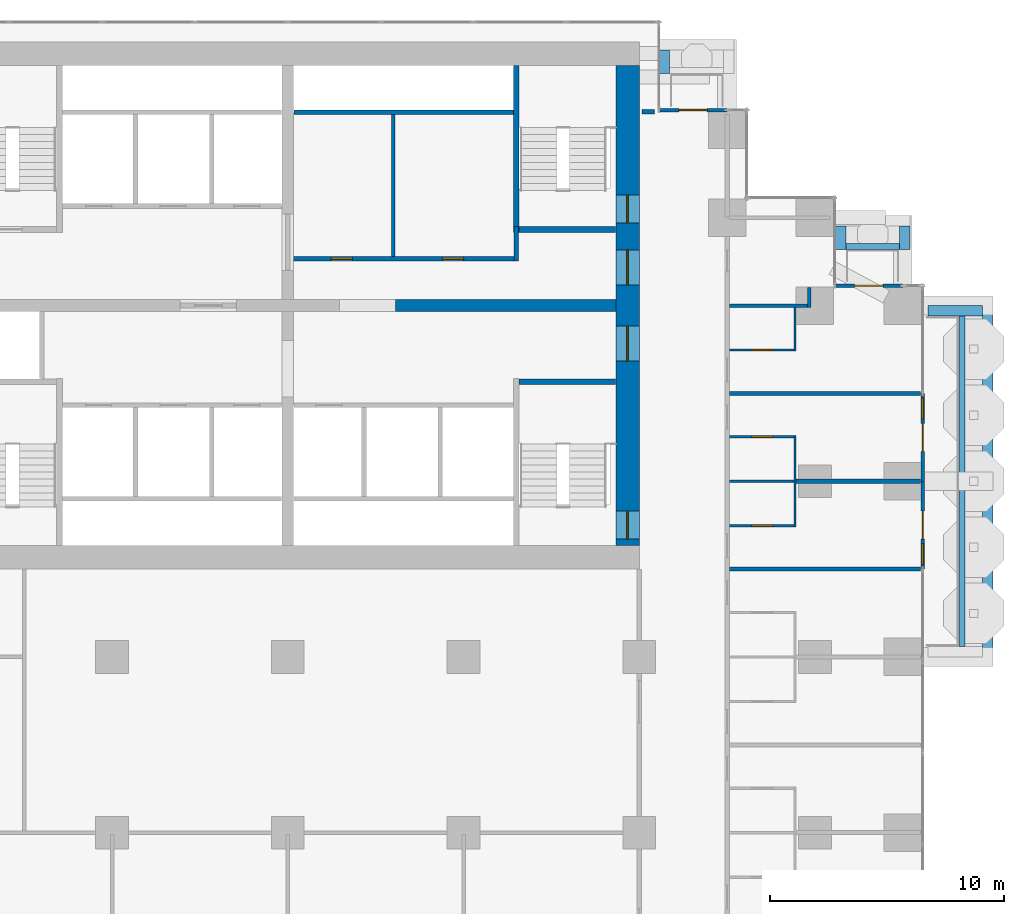
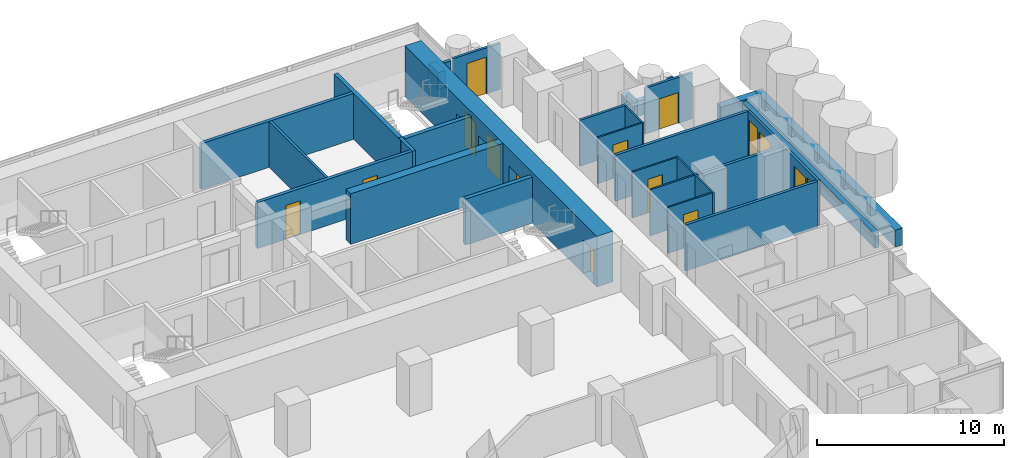
# One storey, part 15 of 19: 32 walls, 13 doors, 2 windows, 15 openings.
"""IFC4 building model written with IfcOpenShell, lengths in metres."""

from ifc_helpers import new_model, si_unit, direction, frame, frame_2d, origin, place, context, subcontext, project, spatial, rectangle, extrude, material, layer, layer_set, type_object, element, fill, save


model = new_model("IFC4")

# Units and contexts
model_context = context("Model", 3, precision=1e-05, world=origin(), true_north=direction((0.0, 1.0)))
body_context = subcontext(model_context, "Body", "Model", "MODEL_VIEW")
ifc_project = project(units=[si_unit("LENGTHUNIT", "METRE"), si_unit("AREAUNIT", "SQUARE_METRE"), si_unit("VOLUMEUNIT", "CUBIC_METRE"), si_unit("PLANEANGLEUNIT", "RADIAN"), si_unit("MASSUNIT", "GRAM", prefix="KILO")], contexts=[model_context])

# Site, building, storey
site_placement = place(None, origin())
site = spatial("IfcSite", under=ifc_project, at=site_placement, CompositionType="ELEMENT")
building_placement = place(site_placement, origin())
building = spatial("IfcBuilding", under=site, at=building_placement, Name="Pilkhan Gate Tower", CompositionType="ELEMENT")
storey_placement = place(building_placement, frame((0.0, 0.0, 46.10009765625)))
storey = spatial("IfcBuildingStorey", under=building, at=storey_placement, Name="L08", CompositionType="ELEMENT", Elevation=46.10009765625)

# Walls
ifc_material_1 = material(Name="Dense blockwork", Category="masonry")
ifc_layer_1 = layer(ifc_material_1, 0.175048828125)
ifc_layer_set_1 = layer_set([ifc_layer_1], Name="Acoustic party wall PW175")
wall_type_1 = type_object("IfcWallType", Name="Acoustic party wall PW175", PredefinedType="PARTITIONING", material=ifc_layer_set_1)
wall_1_placement = place(storey_placement, frame((93.85009765625, 71.25, 0.0), z_axis=(0.0, 0.0, 1.0), x_axis=(1.0, 0.0, 0.0)))
element("IfcWall", 1, at=wall_1_placement, inside=storey, type_object=wall_type_1, Name="Partition L08", PredefinedType="PARTITIONING", context=body_context, shape_type="SweptSolid", body=[
    extrude(rectangle(XDim=8.164794921875, YDim=0.175048828125, at=frame_2d((4.08251953125, 0.0))), origin(), (0.0, 0.0, 1.0), 3.0),
])
wall_2_placement = place(storey_placement, frame((96.699951171875, 75.0, 0.0), z_axis=(0.0, 0.0, 1.0), x_axis=(1.0, 0.0, 0.0)))
element("IfcWall", 2, at=wall_2_placement, inside=storey, type_object=wall_type_1, Name="Partition L08", PredefinedType="PARTITIONING", context=body_context, shape_type="SweptSolid", body=[
    extrude(rectangle(XDim=5.31494140625, YDim=0.175048828125, at=frame_2d((2.657470703125, 0.0))), origin(), (0.0, 0.0, 1.0), 3.0),
])
wall_3_placement = place(storey_placement, frame((93.85009765625, 78.75, 0.0), z_axis=(0.0, 0.0, 1.0), x_axis=(1.0, 0.0, 0.0)))
element("IfcWall", 3, at=wall_3_placement, inside=storey, type_object=wall_type_1, Name="Partition L08", PredefinedType="PARTITIONING", context=body_context, shape_type="SweptSolid", body=[
    extrude(rectangle(XDim=8.164794921875, YDim=0.175048828125, at=frame_2d((4.08251953125, 0.0))), origin(), (0.0, 0.0, 1.0), 3.0),
])
ifc_material_2 = material(Name="Concrete C40/50", Category="concrete")
ifc_layer_2 = layer(ifc_material_2, 0.25)
ifc_layer_set_2 = layer_set([ifc_layer_2], Name="Balcony planter BP250")
wall_type_2 = type_object("IfcWallType", Name="Balcony planter BP250", PredefinedType="USERDEFINED", material=ifc_layer_set_2)
wall_4_placement = place(storey_placement, frame((103.77490234375, 67.949951171875, 0.0), z_axis=(0.0, 0.0, 1.0), x_axis=(0.0, 1.0, 0.0)))
element("IfcWall", 4, at=wall_4_placement, inside=storey, type_object=wall_type_2, Name="Balcony planter L08 E", ObjectType="BALCONY PLANTER", PredefinedType="USERDEFINED", context=body_context, shape_type="SweptSolid", body=[
    extrude(rectangle(XDim=14.10009765625, YDim=0.25, at=frame_2d((7.050048828125, 0.0))), origin(), (0.0, 0.0, 1.0), 1.0),
])
wall_5_placement = place(storey_placement, frame((98.820068359375, 85.02490234375, 0.0), z_axis=(0.0, 0.0, 1.0), x_axis=(1.0, 0.0, 0.0)))
element("IfcWall", 5, at=wall_5_placement, inside=storey, type_object=wall_type_2, Name="Balcony planter L08 N", ObjectType="BALCONY PLANTER", PredefinedType="USERDEFINED", context=body_context, shape_type="SweptSolid", body=[
    extrude(rectangle(XDim=2.280029296875, YDim=0.25, at=frame_2d((1.14013671875, 0.0))), origin(), (0.0, 0.0, 1.0), 1.0),
])
ifc_material_3 = material(Name="Board-marked Concrete C40/50", Category="concrete")
ifc_layer_3 = layer(ifc_material_3, 0.449951171875)
ifc_layer_set_3 = layer_set([ifc_layer_3], Name="Balcony planter lip BL450")
wall_type_3 = type_object("IfcWallType", Name="Balcony planter lip BL450", PredefinedType="USERDEFINED", material=ifc_layer_set_3)
wall_6_placement = place(storey_placement, frame((104.875, 67.5, 0.0), z_axis=(0.0, 0.0, 1.0), x_axis=(0.0, 1.0, 0.0)))
element("IfcWall", 6, at=wall_6_placement, inside=storey, type_object=wall_type_3, Name="Balcony planter L08 E", ObjectType="BALCONY PLANTER", PredefinedType="USERDEFINED", context=body_context, shape_type="SweptSolid", body=[
    extrude(rectangle(XDim=15.0, YDim=0.449951171875, at=frame_2d((7.5, 0.0))), origin(), (0.0, 0.0, 1.0), 1.099853515625),
])
wall_7_placement = place(storey_placement, frame((102.320068359375, 82.27490234375, 0.0), z_axis=(0.0, 0.0, 1.0), x_axis=(1.0, 0.0, 0.0)))
element("IfcWall", 7, at=wall_7_placement, inside=storey, type_object=wall_type_3, Name="Balcony planter L08 E", ObjectType="BALCONY PLANTER", PredefinedType="USERDEFINED", context=body_context, shape_type="SweptSolid", body=[
    extrude(rectangle(XDim=2.329833984375, YDim=0.449951171875, at=frame_2d((1.1650390625, 0.0))), origin(), (0.0, 0.0, 1.0), 1.099853515625),
])
for number, where, z_axis, x_axis, name in (
    (8, (91.074951171875, 92.39990234375, 0.0), (0.0, 0.0, 1.0), (0.0, 1.0, 0.0), "Balcony planter L08 N"),
    (9, (98.594970703125, 84.89990234375, 0.0), (0.0, 0.0, 1.0), (0.0, 1.0, 0.0), "Balcony planter L08 N"),
    (10, (101.324951171875, 84.89990234375, 0.0), (0.0, 0.0, 1.0), (0.0, 1.0, 0.0), "Balcony planter L08 N"),
):
    element("IfcWall", number, at=place(storey_placement, frame(where, z_axis=z_axis, x_axis=x_axis)), inside=storey, type_object=wall_type_3, Name=name, ObjectType="BALCONY PLANTER", PredefinedType="USERDEFINED", context=body_context, shape_type="SweptSolid", body=[
        extrude(rectangle(XDim=1.0, YDim=0.449951171875, at=frame_2d((0.5, 0.0))), origin(), (0.0, 0.0, 1.0), 1.099853515625),
    ])

# Wall, openings, doors
ifc_material_4 = material(Name="Concrete C70/85", Category="concrete")
ifc_layer_4 = layer(ifc_material_4, 1.0)
ifc_layer_set_4 = layer_set([ifc_layer_4], Name="Core wall CW1000 C70/85")
wall_type_4 = type_object("IfcWallType", Name="Core wall CW1000 C70/85", PredefinedType="SHEAR", material=ifc_layer_set_4)
wall_8_placement = place(storey_placement, frame((89.5, 72.25, 0.0), z_axis=(0.0, 0.0, 1.0), x_axis=(0.0, 1.0, 0.0)))
wall_8 = element("IfcWall", 11, at=wall_8_placement, inside=storey, type_object=wall_type_4, Name="Core wall E L08", PredefinedType="SHEAR", context=body_context, shape_type="SweptSolid", body=[
    extrude(rectangle(XDim=20.5, YDim=1.0, at=frame_2d((10.25, 0.0))), origin(), (0.0, 0.0, 1.0), 3.2998046875),
])
opening_1_placement = place(wall_8_placement, frame((0.27490234375, 0.0, 0.0)))
opening_1 = element("IfcOpeningElement", 12, at=opening_1_placement, cuts=wall_8, Name="Opening L08-03", PredefinedType="OPENING", context=body_context, shape_type="SweptSolid", body=[
    extrude(rectangle(XDim=1.199951171875, YDim=2.199951171875, at=frame_2d((0.60009765625, 1.10009765625))), frame((0.0, 0.510009765625, 0.0), z_axis=(0.0, -1.0, 0.0), x_axis=(1.0, 0.0, 0.0)), (0.0, 0.0, 1.0), 1.02001953125),
])
opening_2_placement = place(wall_8_placement, frame((13.77490234375, 0.0, 0.0)))
opening_2 = element("IfcOpeningElement", 13, at=opening_2_placement, cuts=wall_8, Name="Opening L08-05", PredefinedType="OPENING", context=body_context, shape_type="SweptSolid", body=[
    extrude(rectangle(XDim=1.199951171875, YDim=2.199951171875, at=frame_2d((0.60009765625, 1.10009765625))), frame((0.0, 0.510009765625, 0.0), z_axis=(0.0, -1.0, 0.0), x_axis=(1.0, 0.0, 0.0)), (0.0, 0.0, 1.0), 1.02001953125),
])
opening_3_placement = place(wall_8_placement, frame((7.875, 0.0, 0.0)))
opening_3 = element("IfcOpeningElement", 14, at=opening_3_placement, cuts=wall_8, Name="Opening L08-58", PredefinedType="OPENING", context=body_context, shape_type="SweptSolid", body=[
    extrude(rectangle(XDim=1.5, YDim=2.199951171875, at=frame_2d((0.75, 1.10009765625))), frame((0.0, 0.510009765625, 0.0), z_axis=(0.0, -1.0, 0.0), x_axis=(1.0, 0.0, 0.0)), (0.0, 0.0, 1.0), 1.02001953125),
])
opening_4_placement = place(wall_8_placement, frame((11.125, 0.0, 0.0)))
opening_4 = element("IfcOpeningElement", 15, at=opening_4_placement, cuts=wall_8, Name="Opening L08-60", PredefinedType="OPENING", context=body_context, shape_type="SweptSolid", body=[
    extrude(rectangle(XDim=1.5, YDim=2.199951171875, at=frame_2d((0.75, 1.10009765625))), frame((0.0, 0.510009765625, 0.0), z_axis=(0.0, -1.0, 0.0), x_axis=(1.0, 0.0, 0.0)), (0.0, 0.0, 1.0), 1.02001953125),
])
ifc_material_5 = material(Name="Steel framed glazed door, 60 minute fire resisting", Category="steel")
door_type_1 = type_object("IfcDoorType", Name="Lobby door D09 1500x2200", OperationType="DOUBLE_DOOR_SINGLE_SWING", PredefinedType="DOOR", material=ifc_material_5)
door_1_placement = place(opening_3_placement, origin())
door_1 = element("IfcDoor", 16, at=door_1_placement, inside=storey, type_object=door_type_1, Name="Core door", OperationType="DOUBLE_DOOR_SINGLE_SWING", OverallHeight=2.199951171875, OverallWidth=1.5, PredefinedType="DOOR", context=body_context, shape_type="SweptSolid", body=[
    extrude(rectangle(XDim=1.5, YDim=2.199951171875, at=frame_2d((0.75, 1.10009765625))), frame((0.0, 0.02490234375, 0.0), z_axis=(0.0, -1.0, 0.0), x_axis=(1.0, 0.0, 0.0)), (0.0, 0.0, 1.0), 0.050048828125),
])
fill(opening_3, door_1)
door_2_placement = place(opening_4_placement, origin())
door_2 = element("IfcDoor", 17, at=door_2_placement, inside=storey, type_object=door_type_1, Name="Core door", OperationType="DOUBLE_DOOR_SINGLE_SWING", OverallHeight=2.199951171875, OverallWidth=1.5, PredefinedType="DOOR", context=body_context, shape_type="SweptSolid", body=[
    extrude(rectangle(XDim=1.5, YDim=2.199951171875, at=frame_2d((0.75, 1.10009765625))), frame((0.0, 0.02490234375, 0.0), z_axis=(0.0, -1.0, 0.0), x_axis=(1.0, 0.0, 0.0)), (0.0, 0.0, 1.0), 0.050048828125),
])
fill(opening_4, door_2)
ifc_material_6 = material(Name="Steel door, 120 minute fire resisting, panic bar", Category="steel")
door_type_2 = type_object("IfcDoorType", Name="Stair door D11 1200x2200", OperationType="SINGLE_SWING_LEFT", PredefinedType="DOOR", material=ifc_material_6)
door_3_placement = place(opening_1_placement, origin())
door_3 = element("IfcDoor", 18, at=door_3_placement, inside=storey, type_object=door_type_2, Name="Stair ST1 door", OperationType="SINGLE_SWING_RIGHT", OverallHeight=2.199951171875, OverallWidth=1.199951171875, PredefinedType="DOOR", context=body_context, shape_type="SweptSolid", body=[
    extrude(rectangle(XDim=1.199951171875, YDim=2.199951171875, at=frame_2d((0.60009765625, 1.10009765625))), frame((0.0, 0.02490234375, 0.0), z_axis=(0.0, -1.0, 0.0), x_axis=(1.0, 0.0, 0.0)), (0.0, 0.0, 1.0), 0.050048828125),
])
fill(opening_1, door_3)
door_4_placement = place(opening_2_placement, origin())
door_4 = element("IfcDoor", 19, at=door_4_placement, inside=storey, type_object=door_type_2, Name="Stair ST4 door", OperationType="SINGLE_SWING_LEFT", OverallHeight=2.199951171875, OverallWidth=1.199951171875, PredefinedType="DOOR", context=body_context, shape_type="SweptSolid", body=[
    extrude(rectangle(XDim=1.199951171875, YDim=2.199951171875, at=frame_2d((0.60009765625, 1.10009765625))), frame((0.0, 0.02490234375, 0.0), z_axis=(0.0, -1.0, 0.0), x_axis=(1.0, 0.0, 0.0)), (0.0, 0.0, 1.0), 0.050048828125),
])
fill(opening_2, door_4)

# Wall
ifc_layer_5 = layer(ifc_material_1, 0.199951171875)
ifc_layer_set_5 = layer_set([ifc_layer_5], Name="Corridor wall FW200")
wall_type_5 = type_object("IfcWallType", Name="Corridor wall FW200", PredefinedType="PARTITIONING", material=ifc_layer_set_5)
wall_9_placement = place(storey_placement, frame((90.1201171875, 90.764892578125, 0.0), z_axis=(0.0, 0.0, 1.0), x_axis=(1.0, 0.0, 0.0)))
element("IfcWall", 20, at=wall_9_placement, inside=storey, type_object=wall_type_5, Name="Partition L08", PredefinedType="PARTITIONING", context=body_context, shape_type="SweptSolid", body=[
    extrude(rectangle(XDim=0.52490234375, YDim=0.199951171875, at=frame_2d((0.262451171875, 0.0))), origin(), (0.0, 0.0, 1.0), 3.0),
])

# Wall, openings, door, window
ifc_material_7 = material(Name="Pale anodised aluminium, clear laminated glazing", Category="aluminium")
ifc_layer_6 = layer(ifc_material_7, 0.14990234375)
ifc_layer_set_6 = layer_set([ifc_layer_6], Name="Facade infill wall IW150")
wall_type_6 = type_object("IfcWallType", Name="Facade infill wall IW150", PredefinedType="SOLIDWALL", material=ifc_layer_set_6)
wall_10_placement = place(storey_placement, frame((102.094970703125, 71.25, 0.0), z_axis=(0.0, 0.0, 1.0), x_axis=(0.0, 1.0, 0.0)))
wall_10 = element("IfcWall", 21, at=wall_10_placement, inside=storey, type_object=wall_type_6, Name="Infill wall L08 E", PredefinedType="SOLIDWALL", context=body_context, shape_type="SweptSolid", body=[
    extrude(rectangle(XDim=3.75, YDim=0.14990234375, at=frame_2d((1.875, 0.0))), origin(), (0.0, 0.0, 1.0), 3.0),
])
opening_5_placement = place(wall_10_placement, frame((0.1875, 0.0, 0.10009765625)))
opening_5 = element("IfcOpeningElement", 22, at=opening_5_placement, cuts=wall_10, Name="Opening W1", PredefinedType="OPENING", context=body_context, shape_type="SweptSolid", body=[
    extrude(rectangle(XDim=0.89990234375, YDim=2.39990234375, at=frame_2d((0.449951171875, 1.199951171875))), frame((0.0, 0.0849609375, 0.0), z_axis=(0.0, -1.0, 0.0), x_axis=(1.0, 0.0, 0.0)), (0.0, 0.0, 1.0), 0.169921875),
])
opening_6_placement = place(wall_10_placement, frame((1.27490234375, 0.0, 0.0)))
opening_6 = element("IfcOpeningElement", 23, at=opening_6_placement, cuts=wall_10, Name="Opening D1", PredefinedType="OPENING", context=body_context, shape_type="SweptSolid", body=[
    extrude(rectangle(XDim=1.199951171875, YDim=2.39990234375, at=frame_2d((0.60009765625, 1.199951171875))), frame((0.0, 0.0849609375, 0.0), z_axis=(0.0, -1.0, 0.0), x_axis=(1.0, 0.0, 0.0)), (0.0, 0.0, 1.0), 0.169921875),
])
ifc_material_8 = material(Name="Pale anodised aluminium, clear glazing", Category="aluminium")
door_type_3 = type_object("IfcDoorType", Name="Balcony door D1 1200x2400", OperationType="SINGLE_SWING_LEFT", PredefinedType="DOOR", material=ifc_material_8)
door_5_placement = place(opening_6_placement, origin())
door_5 = element("IfcDoor", 24, at=door_5_placement, inside=storey, type_object=door_type_3, Name="Balcony door L08", OperationType="SINGLE_SWING_LEFT", OverallHeight=2.39990234375, OverallWidth=1.199951171875, PredefinedType="DOOR", context=body_context, shape_type="SweptSolid", body=[
    extrude(rectangle(XDim=1.199951171875, YDim=2.39990234375, at=frame_2d((0.60009765625, 1.199951171875))), frame((0.0, 0.02490234375, 0.0), z_axis=(0.0, -1.0, 0.0), x_axis=(1.0, 0.0, 0.0)), (0.0, 0.0, 1.0), 0.050048828125),
])
fill(opening_6, door_5)
ifc_material_9 = material(Name="Pale anodised aluminium, clear double glazing", Category="aluminium")
window_type = type_object("IfcWindowType", Name="Window W1 900x2400", PartitioningType="SINGLE_PANEL", PredefinedType="WINDOW", material=ifc_material_9)
window_1_placement = place(opening_5_placement, origin())
window_1 = element("IfcWindow", 25, at=window_1_placement, inside=storey, type_object=window_type, Name="Window L08", OverallHeight=2.39990234375, OverallWidth=0.89990234375, PartitioningType="SINGLE_PANEL", PredefinedType="WINDOW", context=body_context, shape_type="SweptSolid", body=[
    extrude(rectangle(XDim=0.89990234375, YDim=2.39990234375, at=frame_2d((0.449951171875, 1.199951171875))), frame((0.0, 0.030029296875, 0.0), z_axis=(0.0, -1.0, 0.0), x_axis=(1.0, 0.0, 0.0)), (0.0, 0.0, 1.0), 0.06005859375),
])
fill(opening_5, window_1)

wall_11_placement = place(storey_placement, frame((102.094970703125, 75.0, 0.0), z_axis=(0.0, 0.0, 1.0), x_axis=(0.0, 1.0, 0.0)))
wall_11 = element("IfcWall", 26, at=wall_11_placement, inside=storey, type_object=wall_type_6, Name="Infill wall L08 E", PredefinedType="SOLIDWALL", context=body_context, shape_type="SweptSolid", body=[
    extrude(rectangle(XDim=3.75, YDim=0.14990234375, at=frame_2d((1.875, 0.0))), origin(), (0.0, 0.0, 1.0), 3.0),
])
opening_7_placement = place(wall_11_placement, frame((1.27490234375, 0.0, 0.0)))
opening_7 = element("IfcOpeningElement", 27, at=opening_7_placement, cuts=wall_11, Name="Opening D1", PredefinedType="OPENING", context=body_context, shape_type="SweptSolid", body=[
    extrude(rectangle(XDim=1.199951171875, YDim=2.39990234375, at=frame_2d((0.60009765625, 1.199951171875))), frame((0.0, 0.0849609375, 0.0), z_axis=(0.0, -1.0, 0.0), x_axis=(1.0, 0.0, 0.0)), (0.0, 0.0, 1.0), 0.169921875),
])
opening_8_placement = place(wall_11_placement, frame((2.66259765625, 0.0, 0.10009765625)))
opening_8 = element("IfcOpeningElement", 28, at=opening_8_placement, cuts=wall_11, Name="Opening W1", PredefinedType="OPENING", context=body_context, shape_type="SweptSolid", body=[
    extrude(rectangle(XDim=0.89990234375, YDim=2.39990234375, at=frame_2d((0.449951171875, 1.199951171875))), frame((0.0, 0.0849609375, 0.0), z_axis=(0.0, -1.0, 0.0), x_axis=(1.0, 0.0, 0.0)), (0.0, 0.0, 1.0), 0.169921875),
])
door_6_placement = place(opening_7_placement, origin())
door_6 = element("IfcDoor", 29, at=door_6_placement, inside=storey, type_object=door_type_3, Name="Balcony door L08", OperationType="SINGLE_SWING_LEFT", OverallHeight=2.39990234375, OverallWidth=1.199951171875, PredefinedType="DOOR", context=body_context, shape_type="SweptSolid", body=[
    extrude(rectangle(XDim=1.199951171875, YDim=2.39990234375, at=frame_2d((0.60009765625, 1.199951171875))), frame((0.0, 0.02490234375, 0.0), z_axis=(0.0, -1.0, 0.0), x_axis=(1.0, 0.0, 0.0)), (0.0, 0.0, 1.0), 0.050048828125),
])
fill(opening_7, door_6)
window_2_placement = place(opening_8_placement, origin())
window_2 = element("IfcWindow", 30, at=window_2_placement, inside=storey, type_object=window_type, Name="Window L08", OverallHeight=2.39990234375, OverallWidth=0.89990234375, PartitioningType="SINGLE_PANEL", PredefinedType="WINDOW", context=body_context, shape_type="SweptSolid", body=[
    extrude(rectangle(XDim=0.89990234375, YDim=2.39990234375, at=frame_2d((0.449951171875, 1.199951171875))), frame((0.0, 0.030029296875, 0.0), z_axis=(0.0, -1.0, 0.0), x_axis=(1.0, 0.0, 0.0)), (0.0, 0.0, 1.0), 0.06005859375),
])
fill(opening_8, window_2)

# Wall, opening, door
wall_12_placement = place(storey_placement, frame((98.344970703125, 83.344970703125, 0.0), z_axis=(0.0, 0.0, 1.0), x_axis=(1.0, 0.0, 0.0)))
wall_12 = element("IfcWall", 31, at=wall_12_placement, inside=storey, type_object=wall_type_6, Name="Infill wall L08 N", PredefinedType="SOLIDWALL", context=body_context, shape_type="SweptSolid", body=[
    extrude(rectangle(XDim=2.905029296875, YDim=0.14990234375, at=frame_2d((1.45263671875, 0.0))), origin(), (0.0, 0.0, 1.0), 3.0),
])
opening_9_placement = place(wall_12_placement, frame((0.8525390625, 0.0, 0.0)))
opening_9 = element("IfcOpeningElement", 32, at=opening_9_placement, cuts=wall_12, Name="Opening D1L", PredefinedType="OPENING", context=body_context, shape_type="SweptSolid", body=[
    extrude(rectangle(XDim=1.199951171875, YDim=2.0, at=frame_2d((0.60009765625, 1.0))), frame((0.0, 0.0849609375, 0.0), z_axis=(0.0, -1.0, 0.0), x_axis=(1.0, 0.0, 0.0)), (0.0, 0.0, 1.0), 0.169921875),
])
door_type_4 = type_object("IfcDoorType", Name="Balcony door D1L 1200x2000", OperationType="SINGLE_SWING_LEFT", PredefinedType="DOOR", material=ifc_material_8)
door_7_placement = place(opening_9_placement, origin())
door_7 = element("IfcDoor", 33, at=door_7_placement, inside=storey, type_object=door_type_4, Name="Balcony door L08", OperationType="SINGLE_SWING_LEFT", OverallHeight=2.0, OverallWidth=1.199951171875, PredefinedType="DOOR", context=body_context, shape_type="SweptSolid", body=[
    extrude(rectangle(XDim=1.199951171875, YDim=2.0, at=frame_2d((0.60009765625, 1.0))), frame((0.0, 0.02490234375, 0.0), z_axis=(0.0, -1.0, 0.0), x_axis=(1.0, 0.0, 0.0)), (0.0, 0.0, 1.0), 0.050048828125),
])
fill(opening_9, door_7)

wall_13_placement = place(storey_placement, frame((90.844970703125, 90.844970703125, 0.0), z_axis=(0.0, 0.0, 1.0), x_axis=(1.0, 0.0, 0.0)))
wall_13 = element("IfcWall", 34, at=wall_13_placement, inside=storey, type_object=wall_type_6, Name="Infill wall L08 N", PredefinedType="SOLIDWALL", context=body_context, shape_type="SweptSolid", body=[
    extrude(rectangle(XDim=2.905029296875, YDim=0.14990234375, at=frame_2d((1.45263671875, 0.0))), origin(), (0.0, 0.0, 1.0), 3.0),
])
opening_10_placement = place(wall_13_placement, frame((0.8525390625, 0.0, 0.0)))
opening_10 = element("IfcOpeningElement", 35, at=opening_10_placement, cuts=wall_13, Name="Opening D1", PredefinedType="OPENING", context=body_context, shape_type="SweptSolid", body=[
    extrude(rectangle(XDim=1.199951171875, YDim=2.39990234375, at=frame_2d((0.60009765625, 1.199951171875))), frame((0.0, 0.0849609375, 0.0), z_axis=(0.0, -1.0, 0.0), x_axis=(1.0, 0.0, 0.0)), (0.0, 0.0, 1.0), 0.169921875),
])
door_8_placement = place(opening_10_placement, origin())
door_8 = element("IfcDoor", 36, at=door_8_placement, inside=storey, type_object=door_type_3, Name="Balcony door L08", OperationType="SINGLE_SWING_LEFT", OverallHeight=2.39990234375, OverallWidth=1.199951171875, PredefinedType="DOOR", context=body_context, shape_type="SweptSolid", body=[
    extrude(rectangle(XDim=1.199951171875, YDim=2.39990234375, at=frame_2d((0.60009765625, 1.199951171875))), frame((0.0, 0.02490234375, 0.0), z_axis=(0.0, -1.0, 0.0), x_axis=(1.0, 0.0, 0.0)), (0.0, 0.0, 1.0), 0.050048828125),
])
fill(opening_10, door_8)

# Wall, openings, doors
ifc_layer_7 = layer(ifc_material_1, 0.199951171875)
ifc_layer_set_7 = layer_set([ifc_layer_7], Name="Lobby wall LW200")
wall_type_7 = type_object("IfcWallType", Name="Lobby wall LW200", PredefinedType="PARTITIONING", material=ifc_layer_set_7)
wall_14_placement = place(storey_placement, frame((75.10009765625, 84.5, 0.0), z_axis=(0.0, 0.0, 1.0), x_axis=(1.0, 0.0, 0.0)))
wall_14 = element("IfcWall", 37, at=wall_14_placement, inside=storey, type_object=wall_type_7, Name="Partition L08", PredefinedType="PARTITIONING", context=body_context, shape_type="SweptSolid", body=[
    extrude(rectangle(XDim=9.5498046875, YDim=0.199951171875, at=frame_2d((4.77490234375, 0.0))), origin(), (0.0, 0.0, 1.0), 3.0),
])
opening_11_placement = place(wall_14_placement, frame((1.75, 0.0, 0.0)))
opening_11 = element("IfcOpeningElement", 38, at=opening_11_placement, cuts=wall_14, Name="Opening L08-61", PredefinedType="OPENING", context=body_context, shape_type="SweptSolid", body=[
    extrude(rectangle(XDim=0.89990234375, YDim=2.199951171875, at=frame_2d((0.449951171875, 1.10009765625))), frame((0.0, 0.10986328125, 0.0), z_axis=(0.0, -1.0, 0.0), x_axis=(1.0, 0.0, 0.0)), (0.0, 0.0, 1.0), 0.219970703125),
])
opening_12_placement = place(wall_14_placement, frame((6.5, 0.0, 0.0)))
opening_12 = element("IfcOpeningElement", 39, at=opening_12_placement, cuts=wall_14, Name="Opening L08-62", PredefinedType="OPENING", context=body_context, shape_type="SweptSolid", body=[
    extrude(rectangle(XDim=0.89990234375, YDim=2.199951171875, at=frame_2d((0.449951171875, 1.10009765625))), frame((0.0, 0.10986328125, 0.0), z_axis=(0.0, -1.0, 0.0), x_axis=(1.0, 0.0, 0.0)), (0.0, 0.0, 1.0), 0.219970703125),
])
ifc_material_10 = material(Name="Timber flush door, 60 minute fire resisting, self-closing", Category="wood")
door_type_5 = type_object("IfcDoorType", Name="Store door D05 900x2200", OperationType="SINGLE_SWING_LEFT", PredefinedType="DOOR", material=ifc_material_10)
door_9_placement = place(opening_11_placement, origin())
door_9 = element("IfcDoor", 40, at=door_9_placement, inside=storey, type_object=door_type_5, Name="Store door", OperationType="SINGLE_SWING_LEFT", OverallHeight=2.199951171875, OverallWidth=0.89990234375, PredefinedType="DOOR", context=body_context, shape_type="SweptSolid", body=[
    extrude(rectangle(XDim=0.89990234375, YDim=2.199951171875, at=frame_2d((0.449951171875, 1.10009765625))), frame((0.0, 0.02490234375, 0.0), z_axis=(0.0, -1.0, 0.0), x_axis=(1.0, 0.0, 0.0)), (0.0, 0.0, 1.0), 0.050048828125),
])
fill(opening_11, door_9)
door_10_placement = place(opening_12_placement, origin())
door_10 = element("IfcDoor", 41, at=door_10_placement, inside=storey, type_object=door_type_5, Name="Store door", OperationType="SINGLE_SWING_RIGHT", OverallHeight=2.199951171875, OverallWidth=0.89990234375, PredefinedType="DOOR", context=body_context, shape_type="SweptSolid", body=[
    extrude(rectangle(XDim=0.89990234375, YDim=2.199951171875, at=frame_2d((0.449951171875, 1.10009765625))), frame((0.0, 0.02490234375, 0.0), z_axis=(0.0, -1.0, 0.0), x_axis=(1.0, 0.0, 0.0)), (0.0, 0.0, 1.0), 0.050048828125),
])
fill(opening_12, door_10)

# Walls
wall_15_placement = place(storey_placement, frame((75.260009765625, 90.75, 0.0), z_axis=(0.0, 0.0, 1.0), x_axis=(1.0, 0.0, 0.0)))
element("IfcWall", 42, at=wall_15_placement, inside=storey, type_object=wall_type_7, Name="Partition L08", PredefinedType="PARTITIONING", context=body_context, shape_type="SweptSolid", body=[
    extrude(rectangle(XDim=9.364990234375, YDim=0.199951171875, at=frame_2d((4.6826171875, 0.0))), origin(), (0.0, 0.0, 1.0), 3.0),
])
wall_16_placement = place(storey_placement, frame((84.75, 84.39990234375, 0.0), z_axis=(0.0, 0.0, 1.0), x_axis=(0.0, 1.0, 0.0)))
element("IfcWall", 43, at=wall_16_placement, inside=storey, type_object=wall_type_7, Name="Partition L08", PredefinedType="PARTITIONING", context=body_context, shape_type="SweptSolid", body=[
    extrude(rectangle(XDim=1.47509765625, YDim=0.199951171875, at=frame_2d((0.737548828125, 0.0))), origin(), (0.0, 0.0, 1.0), 3.0),
])
ifc_material_11 = material(Name="Blockwork partition, plastered both sides", Category="masonry")
ifc_layer_8 = layer(ifc_material_11, 0.14990234375)
ifc_layer_set_8 = layer_set([ifc_layer_8], Name="Partition PW150")
wall_type_8 = type_object("IfcWallType", Name="Partition PW150", PredefinedType="PARTITIONING", material=ifc_layer_set_8)
wall_17_placement = place(storey_placement, frame((93.85009765625, 82.5, 0.0), z_axis=(0.0, 0.0, 1.0), x_axis=(1.0, 0.0, 0.0)))
element("IfcWall", 44, at=wall_17_placement, inside=storey, type_object=wall_type_8, Name="Partition L08", PredefinedType="PARTITIONING", context=body_context, shape_type="SweptSolid", body=[
    extrude(rectangle(XDim=3.33984375, YDim=0.14990234375, at=frame_2d((1.669921875, 0.0))), origin(), (0.0, 0.0, 1.0), 3.0),
])
wall_18_placement = place(storey_placement, frame((79.5, 84.60009765625, 0.0), z_axis=(0.0, 0.0, 1.0), x_axis=(0.0, 1.0, 0.0)))
element("IfcWall", 45, at=wall_18_placement, inside=storey, type_object=wall_type_8, Name="Partition L08", PredefinedType="PARTITIONING", context=body_context, shape_type="SweptSolid", body=[
    extrude(rectangle(XDim=6.0498046875, YDim=0.14990234375, at=frame_2d((3.02490234375, 0.0))), origin(), (0.0, 0.0, 1.0), 3.0),
])
wall_19_placement = place(storey_placement, frame((97.264892578125, 82.425048828125, 0.0), z_axis=(0.0, 0.0, 1.0), x_axis=(0.0, 1.0, 0.0)))
element("IfcWall", 46, at=wall_19_placement, inside=storey, type_object=wall_type_8, Name="Partition L08", PredefinedType="PARTITIONING", context=body_context, shape_type="SweptSolid", body=[
    extrude(rectangle(XDim=0.83984375, YDim=0.14990234375, at=frame_2d((0.419921875, 0.0))), origin(), (0.0, 0.0, 1.0), 3.0),
])
ifc_layer_9 = layer(ifc_material_4, 0.5)
ifc_layer_set_9 = layer_set([ifc_layer_9], Name="Spine wall SW500 C70/85")
wall_type_9 = type_object("IfcWallType", Name="Spine wall SW500 C70/85", PredefinedType="SHEAR", material=ifc_layer_set_9)
wall_20_placement = place(storey_placement, frame((79.60009765625, 82.5, 0.0), z_axis=(0.0, 0.0, 1.0), x_axis=(1.0, 0.0, 0.0)))
element("IfcWall", 47, at=wall_20_placement, inside=storey, type_object=wall_type_9, Name="Spine wall SP-EW3 L08", PredefinedType="SHEAR", context=body_context, shape_type="SweptSolid", body=[
    extrude(rectangle(XDim=9.39990234375, YDim=0.5, at=frame_2d((4.699951171875, 0.0))), origin(), (0.0, 0.0, 1.0), 3.2998046875),
])
ifc_material_12 = material(Name="Reinforced blockwork, 120 minute fire resisting", Category="masonry")
ifc_layer_10 = layer(ifc_material_12, 0.25)
ifc_layer_set_10 = layer_set([ifc_layer_10], Name="Stair enclosure wall SE250")
wall_type_10 = type_object("IfcWallType", Name="Stair enclosure wall SE250", PredefinedType="PARTITIONING", material=ifc_layer_set_10)
for number, where, z_axis, x_axis, name in (
    (48, (84.875, 79.25, 0.0), (0.0, 0.0, 1.0), (1.0, 0.0, 0.0), "Partition L08"),
    (49, (84.875, 85.75, 0.0), (0.0, 0.0, 1.0), (1.0, 0.0, 0.0), "Partition L08"),
):
    element("IfcWall", number, at=place(storey_placement, frame(where, z_axis=z_axis, x_axis=x_axis)), inside=storey, type_object=wall_type_10, Name=name, PredefinedType="PARTITIONING", context=body_context, shape_type="SweptSolid", body=[
        extrude(rectangle(XDim=4.114990234375, YDim=0.25, at=frame_2d((2.0576171875, 0.0))), origin(), (0.0, 0.0, 1.0), 3.0),
    ])
wall_21_placement = place(storey_placement, frame((84.75, 85.625, 0.0), z_axis=(0.0, 0.0, 1.0), x_axis=(0.0, 1.0, 0.0)))
element("IfcWall", 50, at=wall_21_placement, inside=storey, type_object=wall_type_10, Name="Partition L08", PredefinedType="PARTITIONING", context=body_context, shape_type="SweptSolid", body=[
    extrude(rectangle(XDim=7.114990234375, YDim=0.25, at=frame_2d((3.5576171875, 0.0))), origin(), (0.0, 0.0, 1.0), 3.0),
])

# Wall, opening, door
ifc_material_13 = material(Name="Moisture resistant board, tiled")
ifc_layer_11 = layer(ifc_material_13, 0.10009765625)
ifc_layer_set_11 = layer_set([ifc_layer_11], Name="Wet wall PW100")
wall_type_11 = type_object("IfcWallType", Name="Wet wall PW100", PredefinedType="PARTITIONING", material=ifc_layer_set_11)
wall_22_placement = place(storey_placement, frame((93.85009765625, 73.10009765625, 0.0), z_axis=(0.0, 0.0, 1.0), x_axis=(1.0, 0.0, 0.0)))
wall_22 = element("IfcWall", 51, at=wall_22_placement, inside=storey, type_object=wall_type_11, Name="Partition L08", PredefinedType="PARTITIONING", context=body_context, shape_type="SweptSolid", body=[
    extrude(rectangle(XDim=2.75, YDim=0.10009765625, at=frame_2d((1.375, 0.0))), origin(), (0.0, 0.0, 1.0), 3.0),
])
opening_13_placement = place(wall_22_placement, frame((0.949951171875, 0.0, 0.0)))
opening_13 = element("IfcOpeningElement", 52, at=opening_13_placement, cuts=wall_22, Name="Opening L08-53", PredefinedType="OPENING", context=body_context, shape_type="SweptSolid", body=[
    extrude(rectangle(XDim=0.89990234375, YDim=2.199951171875, at=frame_2d((0.449951171875, 1.10009765625))), frame((0.0, 0.06005859375, 0.0), z_axis=(0.0, -1.0, 0.0), x_axis=(1.0, 0.0, 0.0)), (0.0, 0.0, 1.0), 0.1201171875),
])
ifc_material_14 = material(Name="Timber flush door", Category="wood")
door_type_6 = type_object("IfcDoorType", Name="Bathroom door D02 900x2200", OperationType="SINGLE_SWING_RIGHT", PredefinedType="DOOR", material=ifc_material_14)
door_11_placement = place(opening_13_placement, origin())
door_11 = element("IfcDoor", 53, at=door_11_placement, inside=storey, type_object=door_type_6, Name="Bathroom door", OperationType="SINGLE_SWING_RIGHT", OverallHeight=2.199951171875, OverallWidth=0.89990234375, PredefinedType="DOOR", context=body_context, shape_type="SweptSolid", body=[
    extrude(rectangle(XDim=0.89990234375, YDim=2.199951171875, at=frame_2d((0.449951171875, 1.10009765625))), frame((0.0, 0.02490234375, 0.0), z_axis=(0.0, -1.0, 0.0), x_axis=(1.0, 0.0, 0.0)), (0.0, 0.0, 1.0), 0.050048828125),
])
fill(opening_13, door_11)

# Wall
wall_23_placement = place(storey_placement, frame((93.85009765625, 75.0, 0.0), z_axis=(0.0, 0.0, 1.0), x_axis=(1.0, 0.0, 0.0)))
element("IfcWall", 54, at=wall_23_placement, inside=storey, type_object=wall_type_11, Name="Partition L08", PredefinedType="PARTITIONING", context=body_context, shape_type="SweptSolid", body=[
    extrude(rectangle(XDim=2.75, YDim=0.10009765625, at=frame_2d((1.375, 0.0))), origin(), (0.0, 0.0, 1.0), 3.0),
])

# Wall, opening, door
wall_24_placement = place(storey_placement, frame((93.85009765625, 76.89990234375, 0.0), z_axis=(0.0, 0.0, 1.0), x_axis=(1.0, 0.0, 0.0)))
wall_24 = element("IfcWall", 55, at=wall_24_placement, inside=storey, type_object=wall_type_11, Name="Partition L08", PredefinedType="PARTITIONING", context=body_context, shape_type="SweptSolid", body=[
    extrude(rectangle(XDim=2.75, YDim=0.10009765625, at=frame_2d((1.375, 0.0))), origin(), (0.0, 0.0, 1.0), 3.0),
])
opening_14_placement = place(wall_24_placement, frame((0.949951171875, 0.0, 0.0)))
opening_14 = element("IfcOpeningElement", 56, at=opening_14_placement, cuts=wall_24, Name="Opening L08-55", PredefinedType="OPENING", context=body_context, shape_type="SweptSolid", body=[
    extrude(rectangle(XDim=0.89990234375, YDim=2.199951171875, at=frame_2d((0.449951171875, 1.10009765625))), frame((0.0, 0.06005859375, 0.0), z_axis=(0.0, -1.0, 0.0), x_axis=(1.0, 0.0, 0.0)), (0.0, 0.0, 1.0), 0.1201171875),
])
door_12_placement = place(opening_14_placement, origin())
door_12 = element("IfcDoor", 57, at=door_12_placement, inside=storey, type_object=door_type_6, Name="Bathroom door", OperationType="SINGLE_SWING_RIGHT", OverallHeight=2.199951171875, OverallWidth=0.89990234375, PredefinedType="DOOR", context=body_context, shape_type="SweptSolid", body=[
    extrude(rectangle(XDim=0.89990234375, YDim=2.199951171875, at=frame_2d((0.449951171875, 1.10009765625))), frame((0.0, 0.02490234375, 0.0), z_axis=(0.0, -1.0, 0.0), x_axis=(1.0, 0.0, 0.0)), (0.0, 0.0, 1.0), 0.050048828125),
])
fill(opening_14, door_12)

wall_25_placement = place(storey_placement, frame((93.85009765625, 80.60009765625, 0.0), z_axis=(0.0, 0.0, 1.0), x_axis=(1.0, 0.0, 0.0)))
wall_25 = element("IfcWall", 58, at=wall_25_placement, inside=storey, type_object=wall_type_11, Name="Partition L08", PredefinedType="PARTITIONING", context=body_context, shape_type="SweptSolid", body=[
    extrude(rectangle(XDim=2.75, YDim=0.10009765625, at=frame_2d((1.375, 0.0))), origin(), (0.0, 0.0, 1.0), 3.0),
])
opening_15_placement = place(wall_25_placement, frame((0.949951171875, 0.0, 0.0)))
opening_15 = element("IfcOpeningElement", 59, at=opening_15_placement, cuts=wall_25, Name="Opening L08-57", PredefinedType="OPENING", context=body_context, shape_type="SweptSolid", body=[
    extrude(rectangle(XDim=0.89990234375, YDim=2.199951171875, at=frame_2d((0.449951171875, 1.10009765625))), frame((0.0, 0.06005859375, 0.0), z_axis=(0.0, -1.0, 0.0), x_axis=(1.0, 0.0, 0.0)), (0.0, 0.0, 1.0), 0.1201171875),
])
door_13_placement = place(opening_15_placement, origin())
door_13 = element("IfcDoor", 60, at=door_13_placement, inside=storey, type_object=door_type_6, Name="Bathroom door", OperationType="SINGLE_SWING_RIGHT", OverallHeight=2.199951171875, OverallWidth=0.89990234375, PredefinedType="DOOR", context=body_context, shape_type="SweptSolid", body=[
    extrude(rectangle(XDim=0.89990234375, YDim=2.199951171875, at=frame_2d((0.449951171875, 1.10009765625))), frame((0.0, 0.02490234375, 0.0), z_axis=(0.0, -1.0, 0.0), x_axis=(1.0, 0.0, 0.0)), (0.0, 0.0, 1.0), 0.050048828125),
])
fill(opening_15, door_13)

# Walls
wall_26_placement = place(storey_placement, frame((96.64990234375, 73.050048828125, 0.0), z_axis=(0.0, 0.0, 1.0), x_axis=(0.0, 1.0, 0.0)))
element("IfcWall", 61, at=wall_26_placement, inside=storey, type_object=wall_type_11, Name="Partition L08", PredefinedType="PARTITIONING", context=body_context, shape_type="SweptSolid", body=[
    extrude(rectangle(XDim=3.89990234375, YDim=0.10009765625, at=frame_2d((1.949951171875, 0.0))), origin(), (0.0, 0.0, 1.0), 3.0),
])
wall_27_placement = place(storey_placement, frame((96.64990234375, 80.550048828125, 0.0), z_axis=(0.0, 0.0, 1.0), x_axis=(0.0, 1.0, 0.0)))
element("IfcWall", 62, at=wall_27_placement, inside=storey, type_object=wall_type_11, Name="Partition L08", PredefinedType="PARTITIONING", context=body_context, shape_type="SweptSolid", body=[
    extrude(rectangle(XDim=1.875, YDim=0.10009765625, at=frame_2d((0.9375, 0.0))), origin(), (0.0, 0.0, 1.0), 3.0),
])

save(model, "model.ifc")
